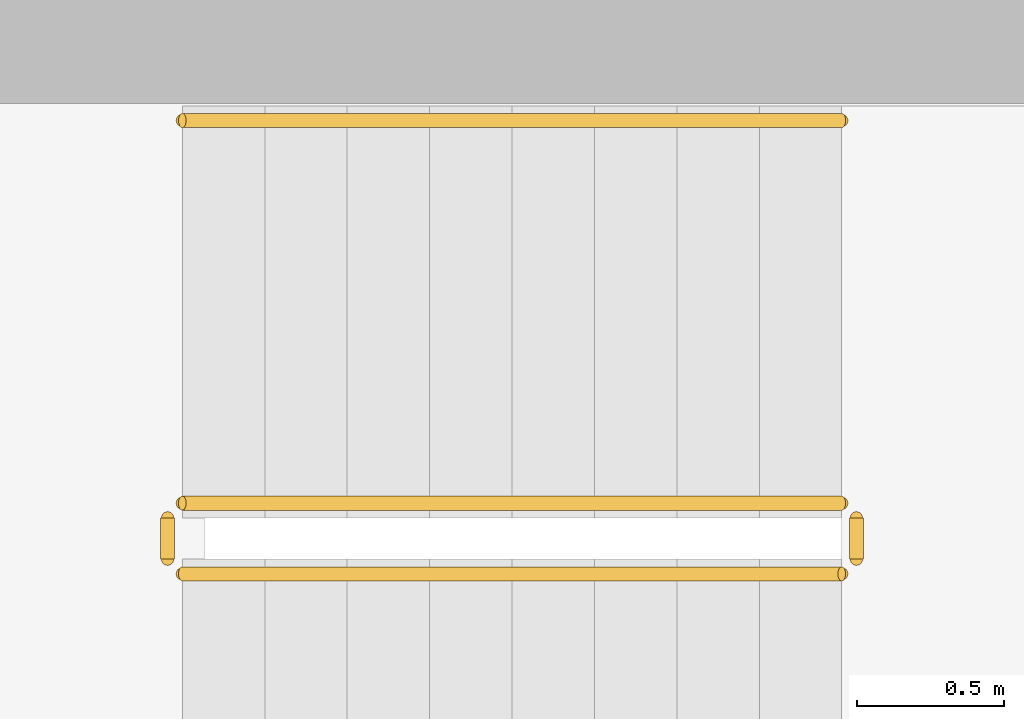
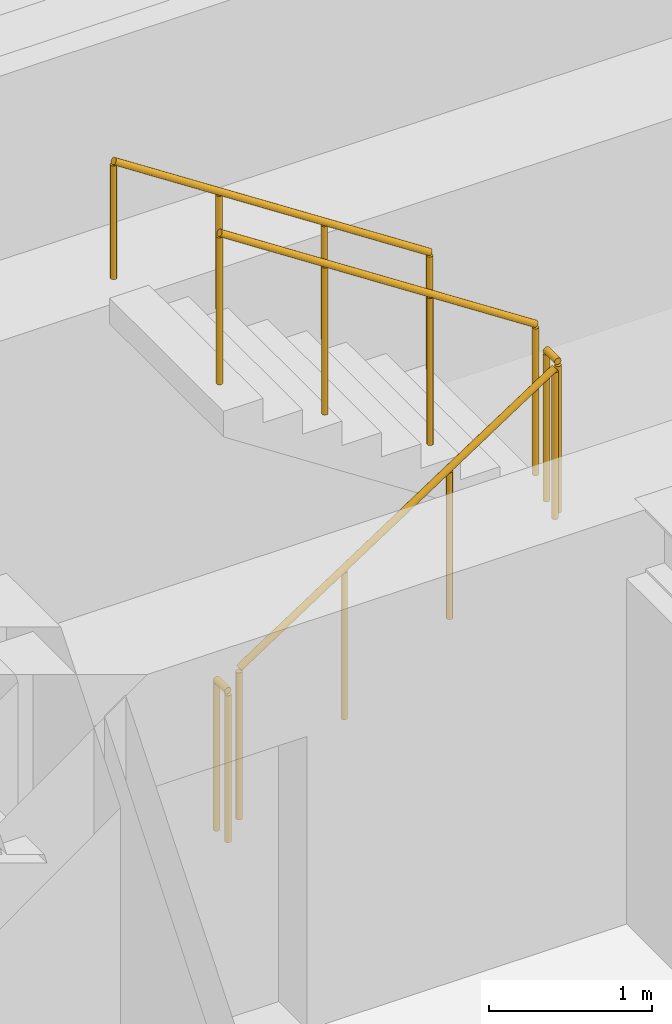
# One storey, part 22 of 26: 5 railings.
"""IFC4 building model written with IfcOpenShell, lengths in metres."""

from ifc_helpers import new_model, si_unit, direction, frame, origin, origin_2d, place, context, subcontext, project, spatial, circle, extrude, material, type_object, element, save


model = new_model("IFC4")

# Units and contexts
model_context = context("Model", 3, precision=1e-05, world=origin(), true_north=direction((0.0, 1.0)))
body_context = subcontext(model_context, "Body", "Model", "MODEL_VIEW")
ifc_project = project(units=[si_unit("LENGTHUNIT", "METRE"), si_unit("AREAUNIT", "SQUARE_METRE"), si_unit("VOLUMEUNIT", "CUBIC_METRE"), si_unit("PLANEANGLEUNIT", "RADIAN"), si_unit("MASSUNIT", "GRAM", prefix="KILO")], contexts=[model_context])

# Site, building, storey
site_placement = place(None, origin())
site = spatial("IfcSite", under=ifc_project, at=site_placement, CompositionType="ELEMENT")
building_placement = place(site_placement, origin())
building = spatial("IfcBuilding", under=site, at=building_placement, Name="Mirazonda Arch Towers", CompositionType="ELEMENT")
storey_placement = place(building_placement, frame((0.0, 0.0, 25.699951171875)))
storey = spatial("IfcBuildingStorey", under=building, at=storey_placement, Name="L06", CompositionType="ELEMENT", Elevation=25.699951171875)

# Railings
ifc_material = material(Name="Architectural Brushed Steel S355", Category="steel")
railing_type_1 = type_object("IfcRailingType", Name="GUARD-STAIR-1120", PredefinedType="GUARDRAIL", material=ifc_material)
railing_1_placement = place(storey_placement, frame((13.85009765625, 39.169921875, 0.183349609375)))
element("IfcRailing", 1, at=railing_1_placement, inside=storey, type_object=railing_type_1, Name="L06 ST-T1N stair guard 1", PredefinedType="GUARDRAIL", context=body_context, shape_type="SweptSolid", body=[
    extrude(circle(Radius=0.02392578125, at=origin_2d()), frame((0.0, 0.0, 1.1259765625), z_axis=(0.836595146698, 0.0, 0.547821650285), x_axis=(0.0, 1.0, 0.0)), (0.0, 0.0, 1.0), 2.677490234375),
    extrude(circle(Radius=0.02099609375, at=origin_2d()), origin(), (0.0, 0.0, 1.0), 1.101806640625),
    extrude(circle(Radius=0.02099609375, at=origin_2d()), frame((0.74658203125, 0.0, 0.489013671875)), (0.0, 0.0, 1.0), 1.101806640625),
    extrude(circle(Radius=0.02099609375, at=origin_2d()), frame((1.493408203125, 0.0, 0.977783203125)), (0.0, 0.0, 1.0), 1.101806640625),
    extrude(circle(Radius=0.02099609375, at=origin_2d()), frame((2.239990234375, 0.0, 1.466796875)), (0.0, 0.0, 1.0), 1.101806640625),
])
railing_2_placement = place(storey_placement, frame((16.139892578125, 39.219970703125, 1.650146484375)))
element("IfcRailing", 2, at=railing_2_placement, inside=storey, type_object=railing_type_1, Name="L06 ST-T1N stair guard 2", PredefinedType="GUARDRAIL", context=body_context, shape_type="SweptSolid", body=[
    extrude(circle(Radius=0.02392578125, at=origin_2d()), frame((0.0, 0.0, 1.1259765625), z_axis=(0.0, 1.0, 0.0), x_axis=(-1.0, 0.0, 0.0)), (0.0, 0.0, 1.0), 0.14013671875),
    extrude(circle(Radius=0.02099609375, at=origin_2d()), origin(), (0.0, 0.0, 1.0), 1.101806640625),
    extrude(circle(Radius=0.02099609375, at=origin_2d()), frame((0.0, 0.14013671875, 0.0)), (0.0, 0.0, 1.0), 1.101806640625),
])
railing_3_placement = place(storey_placement, frame((16.090087890625, 39.409912109375, 1.83349609375)))
element("IfcRailing", 3, at=railing_3_placement, inside=storey, type_object=railing_type_1, Name="L06 ST-T1N stair guard 3", PredefinedType="GUARDRAIL", context=body_context, shape_type="SweptSolid", body=[
    extrude(circle(Radius=0.02392578125, at=origin_2d()), frame((0.0, 0.0, 1.1259765625), z_axis=(-0.836636935527, 0.0, 0.547757827979), x_axis=(0.0, -1.0, 0.0)), (0.0, 0.0, 1.0), 2.677490234375),
    extrude(circle(Radius=0.02099609375, at=origin_2d()), origin(), (0.0, 0.0, 1.0), 1.101806640625),
    extrude(circle(Radius=0.02099609375, at=origin_2d()), frame((-0.74658203125, 0.0, 0.48876953125)), (0.0, 0.0, 1.0), 1.101806640625),
    extrude(circle(Radius=0.02099609375, at=origin_2d()), frame((-1.493408203125, 0.0, 0.977783203125)), (0.0, 0.0, 1.0), 1.101806640625),
    extrude(circle(Radius=0.02099609375, at=origin_2d()), frame((-2.239990234375, 0.0, 1.466552734375)), (0.0, 0.0, 1.0), 1.101806640625),
])
railing_4_placement = place(storey_placement, frame((13.800048828125, 39.219970703125, 0.0)))
element("IfcRailing", 4, at=railing_4_placement, inside=storey, type_object=railing_type_1, Name="L06 ST-T1N stair guard 4", PredefinedType="GUARDRAIL", context=body_context, shape_type="SweptSolid", body=[
    extrude(circle(Radius=0.02392578125, at=origin_2d()), frame((0.0, 0.0, 1.1259765625), z_axis=(0.0, 1.0, 0.0), x_axis=(-1.0, 0.0, 0.0)), (0.0, 0.0, 1.0), 0.14013671875),
    extrude(circle(Radius=0.02099609375, at=origin_2d()), origin(), (0.0, 0.0, 1.0), 1.101806640625),
    extrude(circle(Radius=0.02099609375, at=origin_2d()), frame((0.0, 0.14013671875, 0.0)), (0.0, 0.0, 1.0), 1.101806640625),
])
railing_type_2 = type_object("IfcRailingType", Name="HANDRAIL-915", PredefinedType="HANDRAIL", material=ifc_material)
railing_5_placement = place(storey_placement, frame((16.090087890625, 40.7099609375, 1.83349609375)))
element("IfcRailing", 5, at=railing_5_placement, inside=storey, type_object=railing_type_2, Name="L06 ST-T1N stair handrail 2", PredefinedType="HANDRAIL", context=body_context, shape_type="SweptSolid", body=[
    extrude(circle(Radius=0.02392578125, at=origin_2d()), frame((0.0, 0.0, 0.8759765625), z_axis=(-0.836636935527, 0.0, 0.547757827979), x_axis=(0.0, -1.0, 0.0)), (0.0, 0.0, 1.0), 2.677490234375),
    extrude(circle(Radius=0.02099609375, at=origin_2d()), origin(), (0.0, 0.0, 1.0), 0.851806640625),
    extrude(circle(Radius=0.02099609375, at=origin_2d()), frame((-0.74658203125, 0.0, 0.48876953125)), (0.0, 0.0, 1.0), 0.851806640625),
    extrude(circle(Radius=0.02099609375, at=origin_2d()), frame((-1.493408203125, 0.0, 0.977783203125)), (0.0, 0.0, 1.0), 0.851806640625),
    extrude(circle(Radius=0.02099609375, at=origin_2d()), frame((-2.239990234375, 0.0, 1.466552734375)), (0.0, 0.0, 1.0), 0.851806640625),
])

save(model, "model.ifc")
